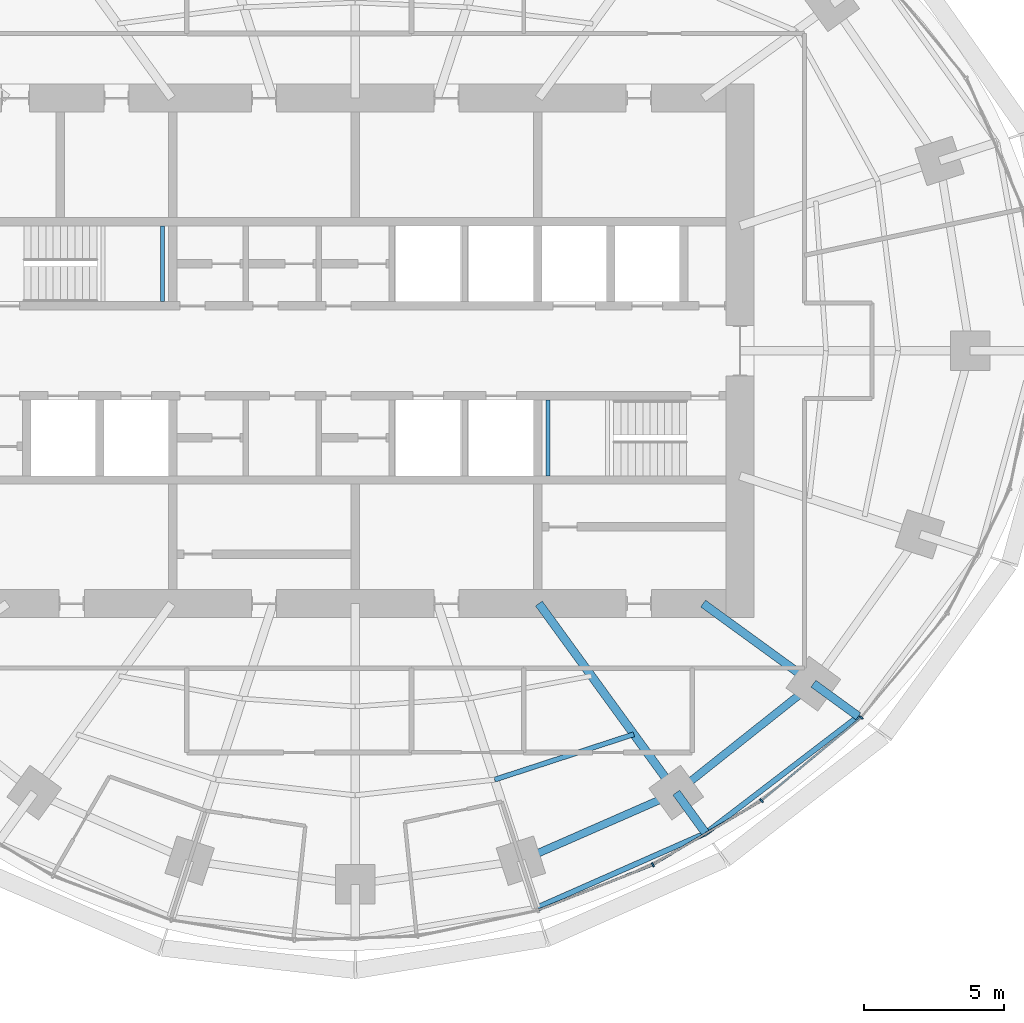
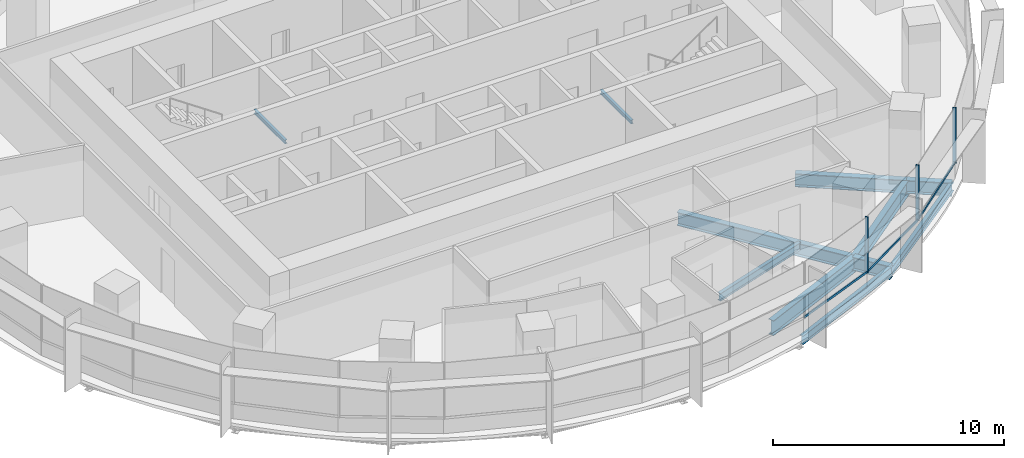
# One storey, part 5 of 15: 11 beams, 6 members, 2 elements without a shape of their own.
"""IFC4 building model written with IfcOpenShell, lengths in metres."""

from ifc_helpers import new_model, si_unit, direction, frame, origin, origin_2d, place, context, subcontext, project, spatial, rectangle, i_section, extrude, material, material_profile, profile_set, type_object, element, aggregate, save


model = new_model("IFC4")

# Units and contexts
model_context = context("Model", 3, precision=1e-05, world=origin(), true_north=direction((0.0, 1.0)))
body_context = subcontext(model_context, "Body", "Model", "MODEL_VIEW")
ifc_project = project(units=[si_unit("LENGTHUNIT", "METRE"), si_unit("AREAUNIT", "SQUARE_METRE"), si_unit("VOLUMEUNIT", "CUBIC_METRE"), si_unit("PLANEANGLEUNIT", "RADIAN"), si_unit("MASSUNIT", "GRAM", prefix="KILO")], contexts=[model_context])

# Site, building, storey
site_placement = place(None, origin())
site = spatial("IfcSite", under=ifc_project, at=site_placement, CompositionType="ELEMENT")
building_placement = place(site_placement, origin())
building = spatial("IfcBuilding", under=site, at=building_placement, Name="Marramba Exchange Tower", CompositionType="ELEMENT")
storey_placement = place(building_placement, frame((0.0, 0.0, 230.60009765625)))
storey = spatial("IfcBuildingStorey", under=building, at=storey_placement, Name="L56", CompositionType="ELEMENT", Elevation=230.60009765625)

# Beams
ifc_material_1 = material(Name="Steel AS/NZS 3679.2 grade 300", Category="steel")
ifc_material_profile_1 = material_profile(ifc_material_1, i_section(OverallWidth=0.300048828125, OverallDepth=0.699951171875, WebThickness=0.010009765625, FlangeThickness=0.031982421875, at=origin_2d()), Name="700WB173")
ifc_profile_set_1 = profile_set([ifc_material_profile_1], Name="Steel AS/NZS 3679.2 grade 300")
beam_type_1 = type_object("IfcBeamType", Name="Cantilever girder 700WB173", PredefinedType="BEAM", material=ifc_profile_set_1)
beam_1_placement = place(storey_placement, frame((11.430419921875, -15.732666015625, -0.510009765625), z_axis=(0.58783009415, -0.808984412959, 0.0), x_axis=(0.808984412959, 0.58783009415, 0.0)))
element("IfcBeam", 1, at=beam_1_placement, inside=storey, type_object=beam_type_1, Name="Cantilever girder L56 TC18", PredefinedType="BEAM", context=body_context, shape_type="SweptSolid", body=[
    extrude(i_section(OverallWidth=0.300048828125, OverallDepth=0.699951171875, WebThickness=0.010009765625, FlangeThickness=0.031982421875, at=origin_2d()), origin(), (0.0, 0.0, 1.0), 1.78515625),
])
beam_2_placement = place(storey_placement, frame((16.3154296875, -11.853759765625, -0.510009765625), z_axis=(0.808970801893, -0.587848825537, 0.0), x_axis=(0.587848825537, 0.808970801893, 0.0)))
element("IfcBeam", 2, at=beam_2_placement, inside=storey, type_object=beam_type_1, Name="Cantilever girder L56 TC19", PredefinedType="BEAM", context=body_context, shape_type="SweptSolid", body=[
    extrude(i_section(OverallWidth=0.300048828125, OverallDepth=0.699951171875, WebThickness=0.010009765625, FlangeThickness=0.031982421875, at=origin_2d()), origin(), (0.0, 0.0, 1.0), 1.978515625),
])
ifc_material_2 = material(Name="Steel AS/NZS 3679.1 grade 300", Category="steel")
ifc_material_profile_2 = material_profile(ifc_material_2, i_section(OverallWidth=0.177978515625, OverallDepth=0.406005859375, WebThickness=0.0078125, FlangeThickness=0.0126953125, FilletRadius=0.011474609375, at=origin_2d()), Name="410UB59.7")
ifc_profile_set_2 = profile_set([ifc_material_profile_2], Name="Steel AS/NZS 3679.1 grade 300")
beam_type_2 = type_object("IfcBeamType", Name="Floor joist 410UB59.7", PredefinedType="JOIST", material=ifc_profile_set_2)
beam_3_placement = place(storey_placement, frame((4.9619140625, -15.271484375, -0.363037109375), z_axis=(0.950764024931, 0.309915744834, 0.0), x_axis=(-0.309915744834, 0.950764024931, 0.0)))
element("IfcBeam", 3, at=beam_3_placement, inside=storey, type_object=beam_type_2, Name="Joist L56 bay 17 row 2", PredefinedType="JOIST", context=body_context, shape_type="SweptSolid", body=[
    extrude(i_section(OverallWidth=0.177978515625, OverallDepth=0.406005859375, WebThickness=0.0078125, FlangeThickness=0.0126953125, FilletRadius=0.011474609375, at=origin_2d()), origin(), (0.0, 0.0, 1.0), 5.2158203125),
])

# Curtain wall, members
ifc_material_3 = material(Name="Aluminium framing, bronze anodised", Category="aluminium")
curtain_wall_type = type_object("IfcCurtainWallType", Name="Office ribbon curtain wall", PredefinedType="USERDEFINED", material=ifc_material_3)
curtain_wall_1_placement = place(storey_placement, origin())
curtain_wall_1 = element("IfcCurtainWall", 4, at=curtain_wall_1_placement, inside=storey, type_object=curtain_wall_type, Name="Curtain wall CW4 L56 F26-F30", ObjectType="RIBBON CURTAIN WALL", PredefinedType="USERDEFINED")
ifc_material_4 = material(Name="Aluminium mullion, bronze anodised", Category="aluminium")
ifc_material_profile_3 = material_profile(ifc_material_4, rectangle(XDim=0.159912109375, YDim=0.06005859375, at=origin_2d()), Name="CW4 mullion 60x160")
ifc_profile_set_3 = profile_set([ifc_material_profile_3], Name="Aluminium mullion, bronze anodised")
member_type_1 = type_object("IfcMemberType", Name="Office ribbon curtain wall mullion", PredefinedType="MULLION", material=ifc_profile_set_3)
member_1_placement = place(storey_placement, frame((10.60009765625, -18.2998046875, 0.7998046875), z_axis=(0.0, 0.0, 1.0), x_axis=(-0.508010571686, 0.861350833897, 0.0)))
member_1 = element("IfcMember", 5, at=member_1_placement, type_object=member_type_1, Name="CW4 mullion 1", PredefinedType="MULLION", context=body_context, shape_type="SweptSolid", body=[
    extrude(rectangle(XDim=0.159912109375, YDim=0.06005859375, at=origin_2d()), origin(), (0.0, 0.0, 1.0), 2.940185546875),
])
member_2_placement = place(storey_placement, frame((14.461669921875, -16.0166015625, 0.7998046875), z_axis=(0.0, 0.0, 1.0), x_axis=(-0.639565270127, 0.768736798421, 0.0)))
member_2 = element("IfcMember", 6, at=member_2_placement, type_object=member_type_1, Name="CW4 mullion 1", PredefinedType="MULLION", context=body_context, shape_type="SweptSolid", body=[
    extrude(rectangle(XDim=0.159912109375, YDim=0.06005859375, at=origin_2d()), origin(), (0.0, 0.0, 1.0), 2.940185546875),
])
member_3_placement = place(storey_placement, frame((18.01611328125, -13.052490234375, 0.7998046875), z_axis=(0.0, 0.0, 1.0), x_axis=(-0.769912069289, 0.63814998673, 0.0)))
member_3 = element("IfcMember", 7, at=member_3_placement, type_object=member_type_1, Name="CW4 mullion 1", PredefinedType="MULLION", context=body_context, shape_type="SweptSolid", body=[
    extrude(rectangle(XDim=0.159912109375, YDim=0.06005859375, at=origin_2d()), origin(), (0.0, 0.0, 1.0), 2.940185546875),
])

# Curtain wall, member
curtain_wall_2_placement = place(storey_placement, origin())
curtain_wall_2 = element("IfcCurtainWall", 8, at=curtain_wall_2_placement, inside=storey, type_object=curtain_wall_type, Name="Curtain wall CW4 L56 F21-F25", ObjectType="RIBBON CURTAIN WALL", PredefinedType="USERDEFINED")
ifc_material_5 = material(Name="Aluminium transom, bronze anodised", Category="aluminium")
ifc_material_profile_4 = material_profile(ifc_material_5, rectangle(XDim=0.06005859375, YDim=0.1201171875, at=origin_2d()), Name="CW4 transom 60x120")
ifc_profile_set_4 = profile_set([ifc_material_profile_4], Name="Aluminium transom, bronze anodised")
member_type_2 = type_object("IfcMemberType", Name="Office ribbon curtain wall transom", PredefinedType="USERDEFINED", material=ifc_profile_set_4)
member_4_placement = place(storey_placement, frame((6.53271484375, -19.911376953125, 0.829833984375), z_axis=(0.930068344217, 0.367386547229, 0.0), x_axis=(-0.367386547229, 0.930068344217, 0.0)))
member_4 = element("IfcMember", 9, at=member_4_placement, type_object=member_type_2, Name="CW4 sill transom", ObjectType="TRANSOM", PredefinedType="USERDEFINED", context=body_context, shape_type="SweptSolid", body=[
    extrude(rectangle(XDim=0.06005859375, YDim=0.1201171875, at=origin_2d()), origin(), (0.0, 0.0, 1.0), 4.345458984375),
])
aggregate(curtain_wall_2, [member_4])

# Member
member_5_placement = place(storey_placement, frame((10.6259765625, -18.28466796875, 0.829833984375), z_axis=(0.861342387959, 0.508024891816, 0.0), x_axis=(-0.508024891816, 0.861342387959, 0.0)))
member_5 = element("IfcMember", 10, at=member_5_placement, type_object=member_type_2, Name="CW4 sill transom", ObjectType="TRANSOM", PredefinedType="USERDEFINED", context=body_context, shape_type="SweptSolid", body=[
    extrude(rectangle(XDim=0.06005859375, YDim=0.1201171875, at=origin_2d()), origin(), (0.0, 0.0, 1.0), 4.426513671875),
])

member_6_placement = place(storey_placement, frame((14.48486328125, -15.99755859375, 0.829833984375), z_axis=(0.768707257272, 0.639600775967, 0.0), x_axis=(-0.639600775967, 0.768707257272, 0.0)))
member_6 = element("IfcMember", 11, at=member_6_placement, type_object=member_type_2, Name="CW4 sill transom", ObjectType="TRANSOM", PredefinedType="USERDEFINED", context=body_context, shape_type="SweptSolid", body=[
    extrude(rectangle(XDim=0.06005859375, YDim=0.1201171875, at=origin_2d()), origin(), (0.0, 0.0, 1.0), 4.568603515625),
])

aggregate(curtain_wall_1, [member_1, member_5, member_2, member_6, member_3])

# Beams
ifc_material_profile_5 = material_profile(ifc_material_1, i_section(OverallWidth=0.300048828125, OverallDepth=0.699951171875, WebThickness=0.010009765625, FlangeThickness=0.031982421875, at=origin_2d()), Name="700WB173")
ifc_profile_set_5 = profile_set([ifc_material_profile_5], Name="Steel AS/NZS 3679.2 grade 300")
beam_type_3 = type_object("IfcBeamType", Name="Radial girder 700WB173", PredefinedType="BEAM", material=ifc_profile_set_5)
beam_4_placement = place(storey_placement, frame((6.538818359375, -9.0, -0.510009765625), z_axis=(0.587787877172, -0.809015087282, 0.0), x_axis=(0.809015087282, 0.587787877172, 0.0)))
element("IfcBeam", 12, at=beam_4_placement, inside=storey, type_object=beam_type_3, Name="Radial girder L56 TC18", PredefinedType="BEAM", context=body_context, shape_type="SweptSolid", body=[
    extrude(i_section(OverallWidth=0.300048828125, OverallDepth=0.699951171875, WebThickness=0.010009765625, FlangeThickness=0.031982421875, at=origin_2d()), origin(), (0.0, 0.0, 1.0), 8.322021484375),
])
beam_5_placement = place(storey_placement, frame((12.387451171875, -9.0, -0.510009765625), z_axis=(0.809025189606, -0.58777397236, 0.0), x_axis=(0.58777397236, 0.809025189606, 0.0)))
element("IfcBeam", 13, at=beam_5_placement, inside=storey, type_object=beam_type_3, Name="Radial girder L56 TC19", PredefinedType="BEAM", context=body_context, shape_type="SweptSolid", body=[
    extrude(i_section(OverallWidth=0.300048828125, OverallDepth=0.699951171875, WebThickness=0.010009765625, FlangeThickness=0.031982421875, at=origin_2d()), origin(), (0.0, 0.0, 1.0), 4.855224609375),
])
ifc_material_profile_6 = material_profile(ifc_material_1, i_section(OverallWidth=0.27490234375, OverallDepth=0.800048828125, WebThickness=0.010009765625, FlangeThickness=0.02490234375, at=origin_2d()), Name="800WB168")
ifc_profile_set_6 = profile_set([ifc_material_profile_6], Name="Steel AS/NZS 3679.2 grade 300")
beam_type_4 = type_object("IfcBeamType", Name="Ring beam 800WB168", PredefinedType="SPANDREL", material=ifc_profile_set_6)
beam_6_placement = place(storey_placement, frame((5.899658203125, -18.156982421875, -0.56005859375), z_axis=(0.915876892158, 0.4014592363, 0.0), x_axis=(-0.4014592363, 0.915876892158, 0.0)))
element("IfcBeam", 14, at=beam_6_placement, inside=storey, type_object=beam_type_4, Name="Ring beam L56 TC17-TC18", PredefinedType="SPANDREL", context=body_context, shape_type="SweptSolid", body=[
    extrude(i_section(OverallWidth=0.27490234375, OverallDepth=0.800048828125, WebThickness=0.010009765625, FlangeThickness=0.02490234375, at=origin_2d()), origin(), (0.0, 0.0, 1.0), 6.038818359375),
])
beam_7_placement = place(storey_placement, frame((11.430419921875, -15.732666015625, -0.56005859375), z_axis=(0.783139438128, 0.621846138887, 0.0), x_axis=(-0.621846138887, 0.783139438128, 0.0)))
element("IfcBeam", 15, at=beam_7_placement, inside=storey, type_object=beam_type_4, Name="Ring beam L56 TC18-TC19", PredefinedType="SPANDREL", context=body_context, shape_type="SweptSolid", body=[
    extrude(i_section(OverallWidth=0.27490234375, OverallDepth=0.800048828125, WebThickness=0.010009765625, FlangeThickness=0.02490234375, at=origin_2d()), origin(), (0.0, 0.0, 1.0), 6.23779296875),
])
ifc_material_profile_7 = material_profile(ifc_material_2, i_section(OverallWidth=0.19091796875, OverallDepth=0.4599609375, WebThickness=0.010009765625, FlangeThickness=0.01611328125, FilletRadius=0.011474609375, at=origin_2d()), Name="460UB82.1")
ifc_profile_set_7 = profile_set([ifc_material_profile_7], Name="Steel AS/NZS 3679.1 grade 300")
beam_type_5 = type_object("IfcBeamType", Name="Slab edge beam 460UB82.1", PredefinedType="SPANDREL", material=ifc_profile_set_7)
beam_8_placement = place(storey_placement, frame((6.44580078125, -19.83837890625, -0.39013671875), z_axis=(0.914940719579, 0.403588255102, 0.0), x_axis=(-0.403588255102, 0.914940719579, 0.0)))
element("IfcBeam", 16, at=beam_8_placement, inside=storey, type_object=beam_type_5, Name="Slab edge beam L56 TC17-TC18", PredefinedType="SPANDREL", context=body_context, shape_type="SweptSolid", body=[
    extrude(i_section(OverallWidth=0.19091796875, OverallDepth=0.4599609375, WebThickness=0.010009765625, FlangeThickness=0.01611328125, FilletRadius=0.011474609375, at=origin_2d()), origin(), (0.0, 0.0, 1.0), 6.594970703125),
])
beam_9_placement = place(storey_placement, frame((12.479736328125, -17.1767578125, -0.39013671875), z_axis=(0.794163423189, 0.607704251481, 0.0), x_axis=(-0.607704251481, 0.794163423189, 0.0)))
element("IfcBeam", 17, at=beam_9_placement, inside=storey, type_object=beam_type_5, Name="Slab edge beam L56 TC18-TC19", PredefinedType="SPANDREL", context=body_context, shape_type="SweptSolid", body=[
    extrude(i_section(OverallWidth=0.19091796875, OverallDepth=0.4599609375, WebThickness=0.010009765625, FlangeThickness=0.01611328125, FilletRadius=0.011474609375, at=origin_2d()), origin(), (0.0, 0.0, 1.0), 6.84521484375),
])
ifc_material_profile_8 = material_profile(ifc_material_2, i_section(OverallWidth=0.133056640625, OverallDepth=0.202880859375, WebThickness=0.005859375, FlangeThickness=0.0078125, FilletRadius=0.0087890625, at=origin_2d()), Name="200UB25.4")
ifc_profile_set_8 = profile_set([ifc_material_profile_8], Name="Steel AS/NZS 3679.1 grade 300")
beam_type_6 = type_object("IfcBeamType", Name="Stair landing beam 200UB25.4", PredefinedType="BEAM", material=ifc_profile_set_8)
for number, where, z_axis, x_axis, name in (
    (18, (-6.866455078125, 1.75, 1.6484375), (0.0, 1.0, 0.0), (-1.0, 0.0, 0.0), "Stair landing beam SLB1 ST1 L56 2"),
    (19, (6.866455078125, -4.449951171875, 1.6484375), (0.0, 1.0, 0.0), (-1.0, 0.0, 0.0), "Stair landing beam SLB1 ST2 L56 1"),
):
    element("IfcBeam", number, at=place(storey_placement, frame(where, z_axis=z_axis, x_axis=x_axis)), inside=storey, type_object=beam_type_6, Name=name, PredefinedType="BEAM", context=body_context, shape_type="SweptSolid", body=[
        extrude(i_section(OverallWidth=0.133056640625, OverallDepth=0.202880859375, WebThickness=0.005859375, FlangeThickness=0.0078125, FilletRadius=0.0087890625, at=origin_2d()), origin(), (0.0, 0.0, 1.0), 2.699951171875),
    ])

save(model, "model.ifc")
